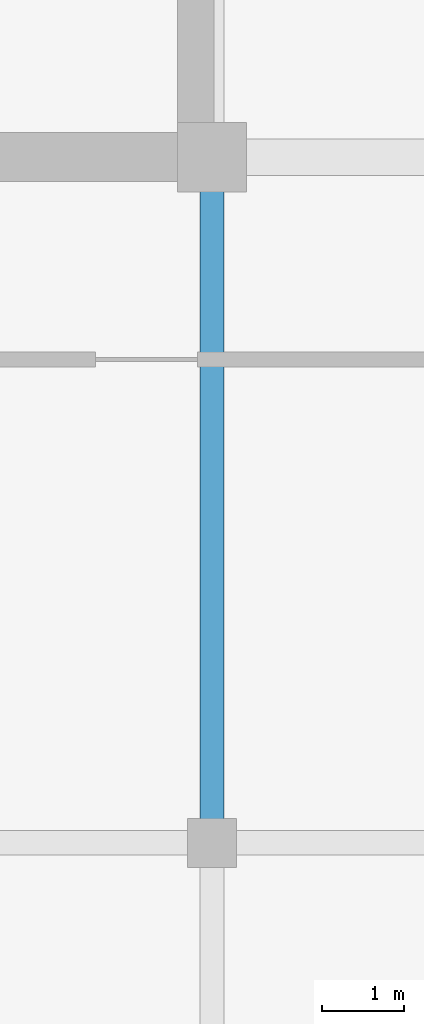
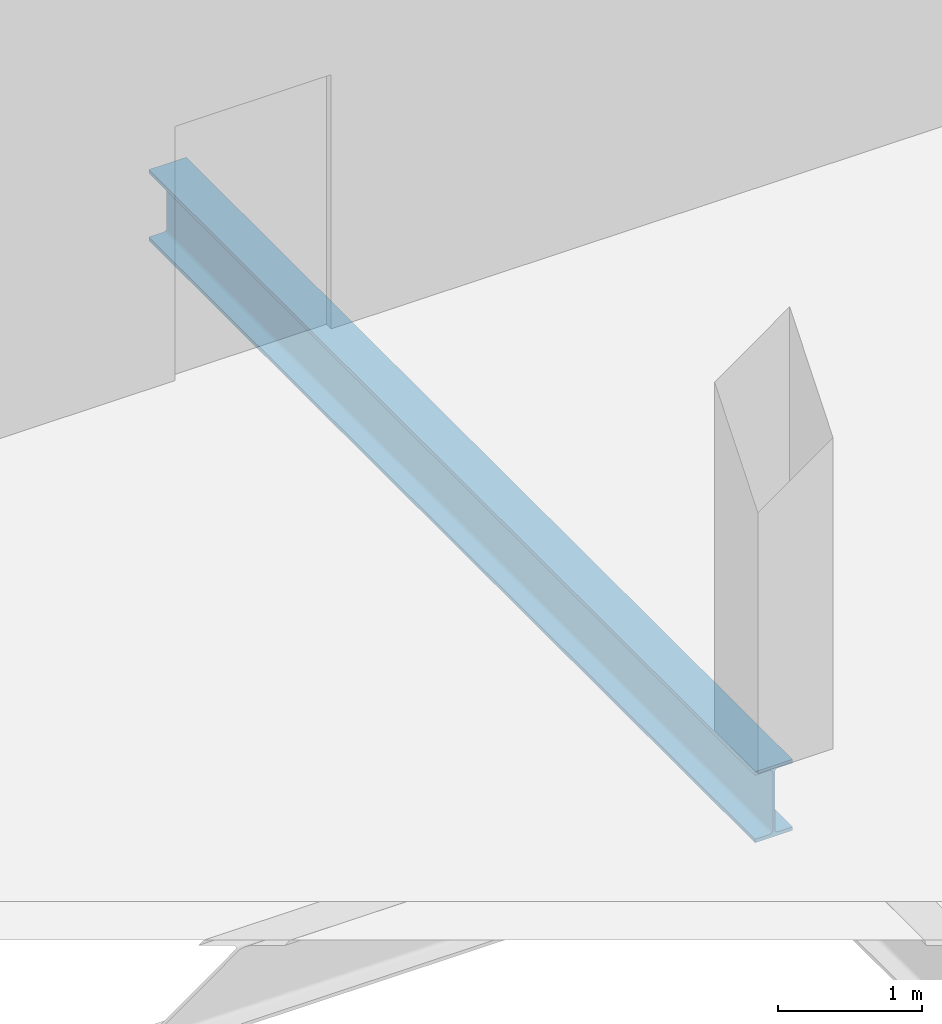
# One storey, part 6 of 27: 1 beam.
"""IFC4 building model written with IfcOpenShell, lengths in metres."""

from ifc_helpers import new_model, si_unit, direction, frame, origin, origin_2d, place, context, subcontext, project, spatial, i_section, extrude, material, material_profile, profile_set, type_object, element, save


model = new_model("IFC4")

# Units and contexts
model_context = context("Model", 3, precision=1e-05, world=origin(), true_north=direction((0.0, 1.0)))
body_context = subcontext(model_context, "Body", "Model", "MODEL_VIEW")
ifc_project = project(units=[si_unit("LENGTHUNIT", "METRE"), si_unit("AREAUNIT", "SQUARE_METRE"), si_unit("VOLUMEUNIT", "CUBIC_METRE"), si_unit("PLANEANGLEUNIT", "RADIAN"), si_unit("MASSUNIT", "GRAM", prefix="KILO")], contexts=[model_context])

# Site, building, storey
site_placement = place(None, origin())
site = spatial("IfcSite", under=ifc_project, at=site_placement, CompositionType="ELEMENT")
building_placement = place(site_placement, origin())
building = spatial("IfcBuilding", under=site, at=building_placement, Name="Zarnakvel Exchange Tower", CompositionType="ELEMENT")
storey_placement = place(building_placement, frame((0.0, 0.0, 294.60009765625)))
storey = spatial("IfcBuildingStorey", under=building, at=storey_placement, Name="Crown L82", CompositionType="ELEMENT", Elevation=294.60009765625)

# Beam
ifc_material = material(Name="Steel S355", Category="steel")
ifc_material_profile = material_profile(ifc_material, i_section(OverallWidth=0.300048828125, OverallDepth=0.60009765625, WebThickness=0.015380859375, FlangeThickness=0.030029296875, FilletRadius=0.027099609375, at=origin_2d()))
ifc_profile_set = profile_set([ifc_material_profile], Name="Steel S355")
beam_type = type_object("IfcBeamType", Name="G-04", PredefinedType="BEAM", material=ifc_profile_set)
beam_placement = place(storey_placement, frame((-7.199951171875, -9.60009765625, -0.52001953125), z_axis=(0.0, 1.0, 0.0), x_axis=(-1.0, 0.0, 0.0)))
element("IfcBeam", 1, at=beam_placement, inside=storey, type_object=beam_type, Name="Crown L82 Tower N-S Frame Beam", PredefinedType="BEAM", context=body_context, shape_type="SweptSolid", body=[
    extrude(i_section(OverallWidth=0.300048828125, OverallDepth=0.60009765625, WebThickness=0.015380859375, FlangeThickness=0.030029296875, FilletRadius=0.027099609375, at=origin_2d()), origin(), (0.0, 0.0, 1.0), 8.400146484375),
])

save(model, "model.ifc")
